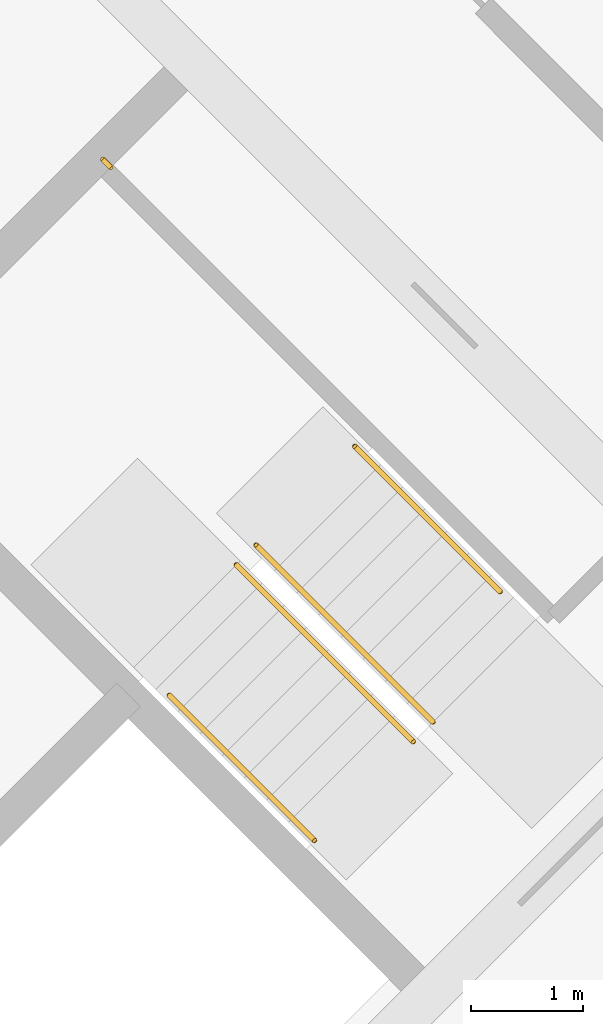
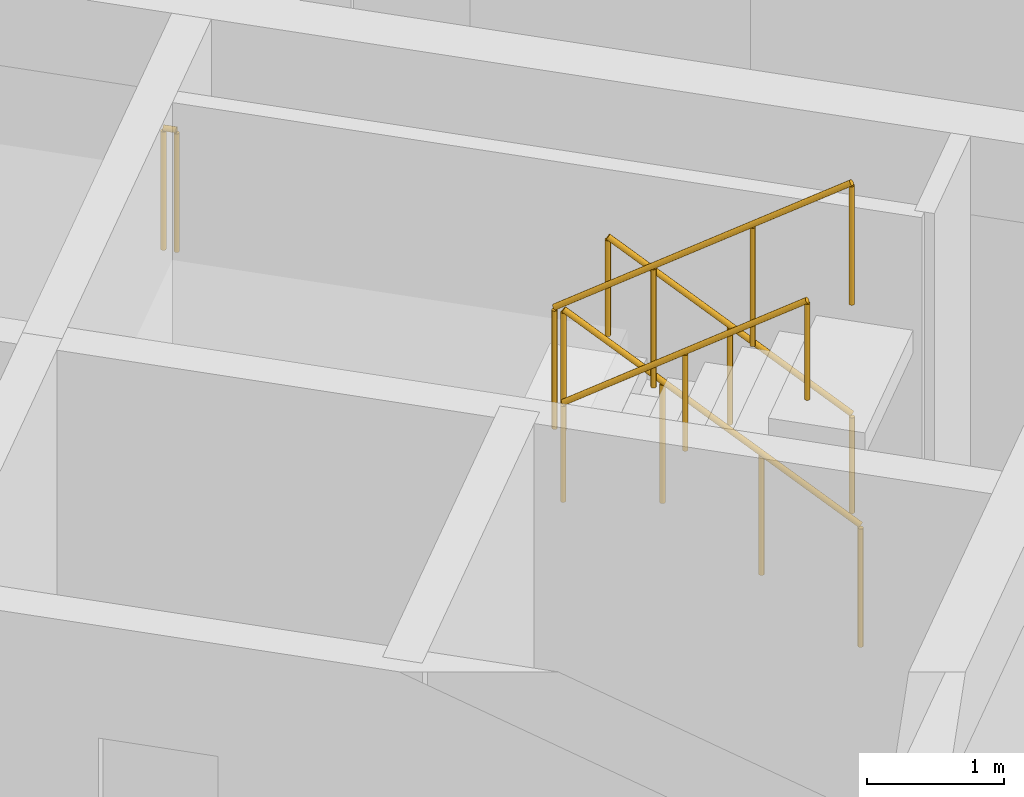
# One storey, part 12 of 12: 5 railings.
"""IFC4 building model written with IfcOpenShell, lengths in metres."""

from ifc_helpers import new_model, si_unit, direction, frame, origin, origin_2d, place, context, subcontext, project, spatial, circle, extrude, material, type_object, element, save


model = new_model("IFC4")

# Units and contexts
model_context = context("Model", 3, precision=1e-05, world=origin(), true_north=direction((0.0, 1.0)))
body_context = subcontext(model_context, "Body", "Model", "MODEL_VIEW")
ifc_project = project(units=[si_unit("LENGTHUNIT", "METRE"), si_unit("AREAUNIT", "SQUARE_METRE"), si_unit("VOLUMEUNIT", "CUBIC_METRE"), si_unit("PLANEANGLEUNIT", "RADIAN"), si_unit("MASSUNIT", "GRAM", prefix="KILO")], contexts=[model_context])

# Site, building, storey
site_placement = place(None, origin())
site = spatial("IfcSite", under=ifc_project, at=site_placement, CompositionType="ELEMENT")
building_placement = place(site_placement, origin())
building = spatial("IfcBuilding", under=site, at=building_placement, Name="Windrow Commons", CompositionType="ELEMENT")
storey_placement = place(building_placement, frame((0.0, 0.0, 247.2)))
storey = spatial("IfcBuildingStorey", under=building, at=storey_placement, Name="L67", CompositionType="ELEMENT", Elevation=247.2)

# Railings
ifc_material_1 = material(Name="Steel S355", Category="steel")
railing_type_1 = type_object("IfcRailingType", Name="Core stair guard 1100", PredefinedType="GUARDRAIL", material=ifc_material_1)
railing_1_placement = place(storey_placement, frame((94.2296, 48.4215, 0.1889)))
element("IfcRailing", 1, at=railing_1_placement, inside=storey, type_object=railing_type_1, Name="L67 ST-B2 stair guard 1", PredefinedType="GUARDRAIL", context=body_context, shape_type="SweptSolid", body=[
    extrude(circle(Radius=0.024, at=origin_2d()), frame((0.0, 0.0, 1.076), z_axis=(-0.5862157828, 0.5861787742, 0.5592365337), x_axis=(-0.7070844598, -0.7071291018, 0.0)), (0.0, 0.0, 1.0), 2.7021),
    extrude(circle(Radius=0.021, at=origin_2d()), origin(), (0.0, 0.0, 1.0), 1.052),
    extrude(circle(Radius=0.021, at=origin_2d()), frame((-0.528, 0.528, 0.5037)), (0.0, 0.0, 1.0), 1.052),
    extrude(circle(Radius=0.021, at=origin_2d()), frame((-1.056, 1.0559, 1.0074)), (0.0, 0.0, 1.0), 1.052),
    extrude(circle(Radius=0.021, at=origin_2d()), frame((-1.584, 1.5839, 1.5111)), (0.0, 0.0, 1.0), 1.052),
])
railing_2_placement = place(storey_placement, frame((92.4689, 49.8287, 1.8889)))
element("IfcRailing", 2, at=railing_2_placement, inside=storey, type_object=railing_type_1, Name="L67 ST-B2 stair guard 2", PredefinedType="GUARDRAIL", context=body_context, shape_type="SweptSolid", body=[
    extrude(circle(Radius=0.024, at=origin_2d()), frame((0.0, 0.0, 1.076), z_axis=(0.5861787742, -0.5862157828, 0.5592365337), x_axis=(0.7071291018, 0.7070844598, 0.0)), (0.0, 0.0, 1.0), 2.7021),
    extrude(circle(Radius=0.021, at=origin_2d()), origin(), (0.0, 0.0, 1.0), 1.052),
    extrude(circle(Radius=0.021, at=origin_2d()), frame((0.528, -0.528, 0.5037)), (0.0, 0.0, 1.0), 1.052),
    extrude(circle(Radius=0.021, at=origin_2d()), frame((1.0559, -1.056, 1.0074)), (0.0, 0.0, 1.0), 1.052),
    extrude(circle(Radius=0.021, at=origin_2d()), frame((1.5839, -1.584, 1.5111)), (0.0, 0.0, 1.0), 1.052),
])
railing_3_placement = place(storey_placement, frame((91.3446, 53.3854, 1.7)))
element("IfcRailing", 3, at=railing_3_placement, inside=storey, type_object=railing_type_1, Name="L67 ST-B2 stair guard 3", PredefinedType="GUARDRAIL", context=body_context, shape_type="SweptSolid", body=[
    extrude(circle(Radius=0.024, at=origin_2d()), frame((0.0, 0.0, 1.076), z_axis=(-0.7076063266, 0.7066068826, 0.0), x_axis=(-0.7066068826, -0.7076063266, 0.0)), (0.0, 0.0, 1.0), 0.1001),
    extrude(circle(Radius=0.021, at=origin_2d()), origin(), (0.0, 0.0, 1.0), 1.052),
    extrude(circle(Radius=0.021, at=origin_2d()), frame((-0.0708, 0.0707, 0.0)), (0.0, 0.0, 1.0), 1.052),
])
ifc_material_2 = material(Name="Steel S355", Category="steel")
railing_type_2 = type_object("IfcRailingType", Name="Core stair handrail 900", PredefinedType="HANDRAIL", material=ifc_material_2)
railing_4_placement = place(storey_placement, frame((94.8306, 49.5883, 0.4587)))
element("IfcRailing", 4, at=railing_4_placement, inside=storey, type_object=railing_type_2, Name="L67 ST-B2 stair handrail 1", PredefinedType="HANDRAIL", context=body_context, shape_type="SweptSolid", body=[
    extrude(circle(Radius=0.024, at=origin_2d()), frame((0.0, 0.0, 0.876), z_axis=(-0.586206706, 0.5861616513, 0.5592639952), x_axis=(-0.7070796062, -0.7071339551, 0.0)), (0.0, 0.0, 1.0), 2.2195),
    extrude(circle(Radius=0.021, at=origin_2d()), origin(), (0.0, 0.0, 1.0), 0.852),
    extrude(circle(Radius=0.021, at=origin_2d()), frame((-0.6506, 0.6505, 0.6206)), (0.0, 0.0, 1.0), 0.852),
    extrude(circle(Radius=0.021, at=origin_2d()), frame((-1.3011, 1.301, 1.2413)), (0.0, 0.0, 1.0), 0.852),
])
railing_5_placement = place(storey_placement, frame((91.8678, 48.6619, 2.1587)))
element("IfcRailing", 5, at=railing_5_placement, inside=storey, type_object=railing_type_2, Name="L67 ST-B2 stair handrail 2", PredefinedType="HANDRAIL", context=body_context, shape_type="SweptSolid", body=[
    extrude(circle(Radius=0.024, at=origin_2d()), frame((0.0, 0.0, 0.876), z_axis=(0.586206706, -0.5861616513, 0.5592639952), x_axis=(0.7070796062, 0.7071339551, 0.0)), (0.0, 0.0, 1.0), 2.2195),
    extrude(circle(Radius=0.021, at=origin_2d()), origin(), (0.0, 0.0, 1.0), 0.852),
    extrude(circle(Radius=0.021, at=origin_2d()), frame((0.6505, -0.6505, 0.6206)), (0.0, 0.0, 1.0), 0.852),
    extrude(circle(Radius=0.021, at=origin_2d()), frame((1.3011, -1.301, 1.2413)), (0.0, 0.0, 1.0), 0.852),
])

save(model, "model.ifc")
